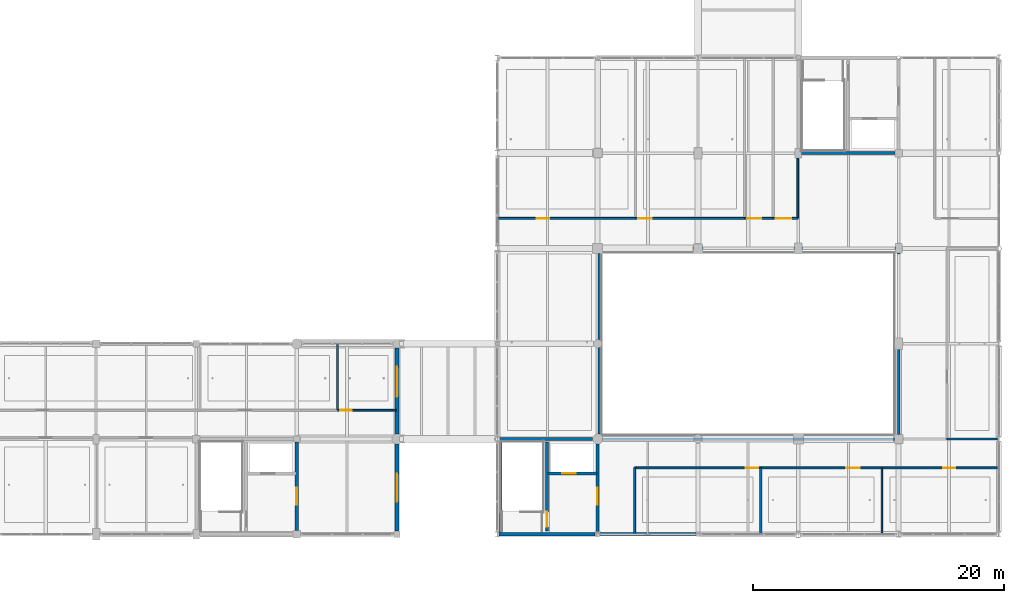
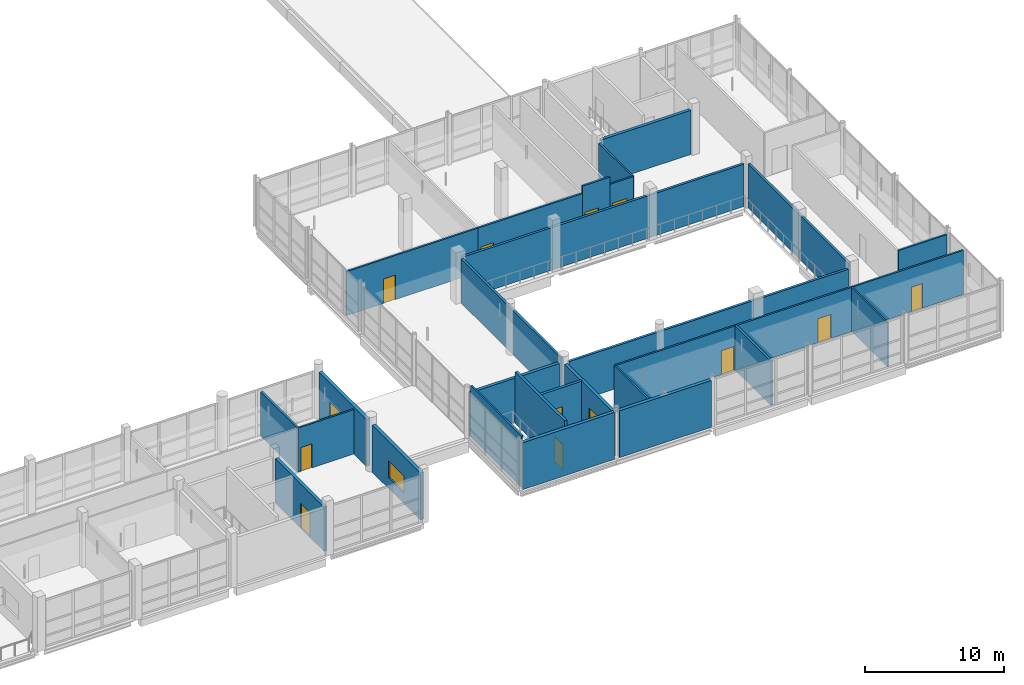
# One storey, part 73 of 107: 29 walls, 12 doors, 2 windows, 14 openings.
"""IFC4 building model written with IfcOpenShell, lengths in metres."""

from ifc_helpers import new_model, si_unit, direction, frame, frame_2d, origin, place, context, subcontext, project, spatial, rectangle, extrude, material, layer, layer_set, type_object, element, fill, save


model = new_model("IFC4")

# Units and contexts
model_context = context("Model", 3, precision=1e-05, world=origin(), true_north=direction((0.0, 1.0)))
body_context = subcontext(model_context, "Body", "Model", "MODEL_VIEW")
ifc_project = project(units=[si_unit("LENGTHUNIT", "METRE"), si_unit("AREAUNIT", "SQUARE_METRE"), si_unit("VOLUMEUNIT", "CUBIC_METRE"), si_unit("PLANEANGLEUNIT", "RADIAN"), si_unit("MASSUNIT", "GRAM", prefix="KILO")], contexts=[model_context])

# Site, building, storey
site_placement = place(None, origin())
site = spatial("IfcSite", under=ifc_project, at=site_placement, CompositionType="ELEMENT")
building_placement = place(site_placement, origin())
building = spatial("IfcBuilding", under=site, at=building_placement, Name="Khelvaren Railside Concert Hall", CompositionType="ELEMENT")
storey_placement = place(building_placement, frame((0.0, 0.0, 15.0)))
storey = spatial("IfcBuildingStorey", under=building, at=storey_placement, Name="L03", CompositionType="ELEMENT", Elevation=15.0)

# Walls
ifc_material_1 = material(Name="Concrete C40/50", Category="concrete")
ifc_layer_1 = layer(ifc_material_1, 0.139892578125)
ifc_layer_set_1 = layer_set([ifc_layer_1], Name="Concrete C40/50")
wall_type_1 = type_object("IfcWallType", Name="CW17", PredefinedType="SOLIDWALL", material=ifc_layer_set_1)
wall_1_placement = place(storey_placement, frame((144.27490234375, 0.14990234375, 0.0), z_axis=(0.0, 0.0, 1.0), x_axis=(0.0, 1.0, 0.0)))
element("IfcWall", 1, at=wall_1_placement, inside=storey, type_object=wall_type_1, Name="Core Shaft Structural Liner Wall ST-03-L03", PredefinedType="SOLIDWALL", context=body_context, shape_type="SweptSolid", body=[
    extrude(rectangle(XDim=7.300048828125, YDim=0.139892578125, at=frame_2d((3.64990234375, 0.0))), origin(), (0.0, 0.0, 1.0), 4.530029296875),
])
ifc_layer_2 = layer(ifc_material_1, 0.25)
ifc_layer_set_2 = layer_set([ifc_layer_2], Name="Concrete C40/50")
wall_type_2 = type_object("IfcWallType", Name="CW82", PredefinedType="SOLIDWALL", material=ifc_layer_set_2)
wall_2_placement = place(storey_placement, frame((144.203125, 7.60009765625, 0.0), z_axis=(0.0, 0.0, 1.0), x_axis=(1.0, 0.0, 0.0)))
element("IfcWall", 2, at=wall_2_placement, inside=storey, type_object=wall_type_2, Name="Core Enclosure Wall CWALL-ST-03-L03-N", PredefinedType="SOLIDWALL", context=body_context, shape_type="SweptSolid", body=[
    extrude(rectangle(XDim=7.39697265625, YDim=0.25, at=frame_2d((3.698486328125, 0.0))), origin(), (0.0, 0.0, 1.0), 3.8798828125),
])

# Wall, opening, door
wall_3_placement = place(storey_placement, frame((152.0, 0.203125, 0.0), z_axis=(0.0, 0.0, 1.0), x_axis=(0.0, 1.0, 0.0)))
wall_3 = element("IfcWall", 3, at=wall_3_placement, inside=storey, type_object=wall_type_2, Name="Core Enclosure Wall CWALL-ST-03-L03-E", PredefinedType="SOLIDWALL", context=body_context, shape_type="SweptSolid", body=[
    extrude(rectangle(XDim=6.996826171875, YDim=0.25, at=frame_2d((3.49853515625, 0.0))), origin(), (0.0, 0.0, 1.0), 3.8798828125),
])
opening_1_placement = place(wall_3_placement, frame((2.146728515625, 0.0, 0.0)))
opening_1 = element("IfcOpeningElement", 4, at=opening_1_placement, cuts=wall_3, Name="Opening FDR34", PredefinedType="OPENING", context=body_context, shape_type="SweptSolid", body=[
    extrude(rectangle(XDim=1.35009765625, YDim=2.199951171875, at=frame_2d((0.675048828125, 1.10009765625))), frame((0.0, 0.135009765625, 0.0), z_axis=(0.0, -1.0, 0.0), x_axis=(1.0, 0.0, 0.0)), (0.0, 0.0, 1.0), 0.27001953125),
])
ifc_material_2 = material(Name="Acoustic fire-rated timber-core steel frame door", Category="steel")
door_type_1 = type_object("IfcDoorType", Name="FDR34", OperationType="NOTDEFINED", PredefinedType="DOOR", material=ifc_material_2)
door_1_placement = place(opening_1_placement, origin())
door_1 = element("IfcDoor", 5, at=door_1_placement, inside=storey, type_object=door_type_1, Name="Interior Door DR-ST-03-L03-LOB", OperationType="SINGLE_SWING_LEFT", OverallHeight=2.199951171875, OverallWidth=1.35009765625, PredefinedType="DOOR", context=body_context, shape_type="SweptSolid", body=[
    extrude(rectangle(XDim=1.35009765625, YDim=2.199951171875, at=frame_2d((0.675048828125, 1.10009765625))), frame((0.0, 0.02490234375, 0.0), z_axis=(0.0, -1.0, 0.0), x_axis=(1.0, 0.0, 0.0)), (0.0, 0.0, 1.0), 0.050048828125),
])
fill(opening_1, door_1)

# Wall
wall_4_placement = place(storey_placement, frame((168.25, 30.39990234375, 0.0), z_axis=(0.0, 0.0, 1.0), x_axis=(1.0, 0.0, 0.0)))
element("IfcWall", 6, at=wall_4_placement, inside=storey, type_object=wall_type_2, Name="Core Enclosure Wall CWALL-ST-04-L03-S", PredefinedType="SOLIDWALL", context=body_context, shape_type="SweptSolid", body=[
    extrude(rectangle(XDim=7.449951171875, YDim=0.25, at=frame_2d((3.72509765625, 0.0))), origin(), (0.0, 0.0, 1.0), 3.8798828125),
])

# Wall, opening, door
wall_5_placement = place(storey_placement, frame((128.0, 0.300048828125, 0.0), z_axis=(0.0, 0.0, 1.0), x_axis=(0.0, 1.0, 0.0)))
wall_5 = element("IfcWall", 7, at=wall_5_placement, inside=storey, type_object=wall_type_2, Name="Core Enclosure Wall CWALL-ST-06-L03-E", PredefinedType="SOLIDWALL", context=body_context, shape_type="SweptSolid", body=[
    extrude(rectangle(XDim=7.050048828125, YDim=0.25, at=frame_2d((3.52490234375, 0.0))), origin(), (0.0, 0.0, 1.0), 3.89990234375),
])
opening_2_placement = place(wall_5_placement, frame((2.050048828125, 0.0, 0.0)))
opening_2 = element("IfcOpeningElement", 8, at=opening_2_placement, cuts=wall_5, Name="Opening FDR34", PredefinedType="OPENING", context=body_context, shape_type="SweptSolid", body=[
    extrude(rectangle(XDim=1.35009765625, YDim=2.199951171875, at=frame_2d((0.675048828125, 1.10009765625))), frame((0.0, 0.135009765625, 0.0), z_axis=(0.0, -1.0, 0.0), x_axis=(1.0, 0.0, 0.0)), (0.0, 0.0, 1.0), 0.27001953125),
])
door_2_placement = place(opening_2_placement, origin())
door_2 = element("IfcDoor", 9, at=door_2_placement, inside=storey, type_object=door_type_1, Name="Interior Door DR-ST-06-L03-LOB", OperationType="SINGLE_SWING_LEFT", OverallHeight=2.199951171875, OverallWidth=1.35009765625, PredefinedType="DOOR", context=body_context, shape_type="SweptSolid", body=[
    extrude(rectangle(XDim=1.35009765625, YDim=2.199951171875, at=frame_2d((0.675048828125, 1.10009765625))), frame((0.0, 0.02490234375, 0.0), z_axis=(0.0, -1.0, 0.0), x_axis=(1.0, 0.0, 0.0)), (0.0, 0.0, 1.0), 0.050048828125),
])
fill(opening_2, door_2)

ifc_layer_3 = layer(ifc_material_1, 0.219970703125)
ifc_layer_set_3 = layer_set([ifc_layer_3], Name="Concrete C40/50")
wall_type_3 = type_object("IfcWallType", Name="CW97", PredefinedType="SOLIDWALL", material=ifc_layer_set_3)
wall_6_placement = place(storey_placement, frame((147.949951171875, 0.25, 0.0), z_axis=(0.0, 0.0, 1.0), x_axis=(0.0, 1.0, 0.0)))
wall_6 = element("IfcWall", 10, at=wall_6_placement, inside=storey, type_object=wall_type_3, Name="Core Enclosure Wall CWALL-ST-03-L03-MID", PredefinedType="SOLIDWALL", context=body_context, shape_type="SweptSolid", body=[
    extrude(rectangle(XDim=7.10009765625, YDim=0.219970703125, at=frame_2d((3.550048828125, 0.0))), origin(), (0.0, 0.0, 1.0), 4.530029296875),
])
opening_3_placement = place(wall_6_placement, frame((0.35009765625, 0.0, 0.0)))
opening_3 = element("IfcOpeningElement", 11, at=opening_3_placement, cuts=wall_6, Name="Opening FDR17", PredefinedType="OPENING", context=body_context, shape_type="SweptSolid", body=[
    extrude(rectangle(XDim=1.199951171875, YDim=2.14990234375, at=frame_2d((0.60009765625, 1.074951171875))), frame((0.0, 0.119873046875, 0.0), z_axis=(0.0, -1.0, 0.0), x_axis=(1.0, 0.0, 0.0)), (0.0, 0.0, 1.0), 0.239990234375),
])
door_type_2 = type_object("IfcDoorType", Name="FDR17", OperationType="NOTDEFINED", PredefinedType="DOOR", material=ifc_material_2)
door_3_placement = place(opening_3_placement, origin())
door_3 = element("IfcDoor", 12, at=door_3_placement, inside=storey, type_object=door_type_2, Name="Interior Door DR-ST-03-L03-ST", OperationType="SINGLE_SWING_RIGHT", OverallHeight=2.14990234375, OverallWidth=1.199951171875, PredefinedType="DOOR", context=body_context, shape_type="SweptSolid", body=[
    extrude(rectangle(XDim=1.199951171875, YDim=2.14990234375, at=frame_2d((0.60009765625, 1.074951171875))), frame((0.0, 0.02490234375, 0.0), z_axis=(0.0, -1.0, 0.0), x_axis=(1.0, 0.0, 0.0)), (0.0, 0.0, 1.0), 0.050048828125),
])
fill(opening_3, door_3)

wall_7_placement = place(storey_placement, frame((148.02001953125, 4.85009765625, 0.0), z_axis=(0.0, 0.0, 1.0), x_axis=(1.0, 0.0, 0.0)))
wall_7 = element("IfcWall", 13, at=wall_7_placement, inside=storey, type_object=wall_type_3, Name="Core Enclosure Wall CWALL-ST-03-L03-SHF", PredefinedType="SOLIDWALL", context=body_context, shape_type="SweptSolid", body=[
    extrude(rectangle(XDim=3.929931640625, YDim=0.219970703125, at=frame_2d((1.96484375, 0.0))), origin(), (0.0, 0.0, 1.0), 3.8798828125),
])
opening_4_placement = place(wall_7_placement, frame((1.14990234375, 0.0, 0.0)))
opening_4 = element("IfcOpeningElement", 14, at=opening_4_placement, cuts=wall_7, Name="Opening LD-PL-02", PredefinedType="OPENING", context=body_context, shape_type="SweptSolid", body=[
    extrude(rectangle(XDim=1.10009765625, YDim=2.199951171875, at=frame_2d((0.550048828125, 1.10009765625))), frame((0.0, 0.119873046875, 0.0), z_axis=(0.0, -1.0, 0.0), x_axis=(1.0, 0.0, 0.0)), (0.0, 0.0, 1.0), 0.239990234375),
])
ifc_material_3 = material(Name="Fire-rated brushed stainless steel landing door", Category="steel")
door_type_3 = type_object("IfcDoorType", Name="LD96", OperationType="DOUBLE_DOOR_SLIDING", PredefinedType="DOOR", material=ifc_material_3)
door_4_placement = place(opening_4_placement, origin())
door_4 = element("IfcDoor", 15, at=door_4_placement, inside=storey, type_object=door_type_3, Name="Lift Landing Door LD-PL-02-L03", OperationType="DOUBLE_DOOR_SLIDING", OverallHeight=2.199951171875, OverallWidth=1.10009765625, PredefinedType="DOOR", context=body_context, shape_type="SweptSolid", body=[
    extrude(rectangle(XDim=1.10009765625, YDim=2.199951171875, at=frame_2d((0.550048828125, 1.10009765625))), frame((0.0, 0.02490234375, 0.0), z_axis=(0.0, -1.0, 0.0), x_axis=(1.0, 0.0, 0.0)), (0.0, 0.0, 1.0), 0.050048828125),
])
fill(opening_4, door_4)

# Walls
ifc_material_4 = material(Name="Board-marked architectural concrete C40/50", Category="concrete")
ifc_layer_4 = layer(ifc_material_4, 0.280029296875)
ifc_layer_set_4 = layer_set([ifc_layer_4], Name="Board-marked architectural concrete C40/50")
wall_type_4 = type_object("IfcWallType", Name="EW17", PredefinedType="SOLIDWALL", material=ifc_layer_set_4)
wall_8_placement = place(storey_placement, frame((151.796875, 0.0, 0.0), z_axis=(0.0, 0.0, 1.0), x_axis=(-1.0, 0.0, 0.0)))
element("IfcWall", 16, at=wall_8_placement, inside=storey, type_object=wall_type_4, Name="V2 L03 Exterior Concrete Wall S-144", PredefinedType="SOLIDWALL", context=body_context, shape_type="SweptSolid", body=[
    extrude(rectangle(XDim=7.64697265625, YDim=0.280029296875, at=frame_2d((3.823486328125, 0.0))), origin(), (0.0, 0.0, 1.0), 4.1201171875),
])
wall_9_placement = place(storey_placement, frame((159.837890625, 0.0, 0.0), z_axis=(0.0, 0.0, 1.0), x_axis=(-1.0, 0.0, 0.0)))
element("IfcWall", 17, at=wall_9_placement, inside=storey, type_object=wall_type_4, Name="V2 L03 Exterior Concrete Wall S-152", PredefinedType="SOLIDWALL", context=body_context, shape_type="SweptSolid", body=[
    extrude(rectangle(XDim=7.634765625, YDim=0.280029296875, at=frame_2d((3.8173828125, 0.0))), origin(), (0.0, 0.0, 1.0), 4.1201171875),
])

# Wall, opening, window
ifc_layer_5 = layer(ifc_material_4, 0.2900390625)
ifc_layer_set_5 = layer_set([ifc_layer_5], Name="Board-marked architectural concrete C40/50")
wall_type_5 = type_object("IfcWallType", Name="EW77", PredefinedType="SOLIDWALL", material=ifc_layer_set_5)
wall_10_placement = place(storey_placement, frame((136.0, 7.199951171875, 0.0), z_axis=(0.0, 0.0, 1.0), x_axis=(0.0, -1.0, 0.0)))
wall_10 = element("IfcWall", 18, at=wall_10_placement, inside=storey, type_object=wall_type_5, Name="V3 L03 Exterior Concrete Wall E-0", PredefinedType="SOLIDWALL", context=body_context, shape_type="SweptSolid", body=[
    extrude(rectangle(XDim=6.949951171875, YDim=0.2900390625, at=frame_2d((3.47509765625, 0.0))), origin(), (0.0, 0.0, 1.0), 4.139892578125),
])
opening_5_placement = place(wall_10_placement, frame((2.35009765625, 0.0, 0.949951171875)))
opening_5 = element("IfcOpeningElement", 19, at=opening_5_placement, cuts=wall_10, Name="Opening WN30", PredefinedType="OPENING", context=body_context, shape_type="SweptSolid", body=[
    extrude(rectangle(XDim=2.25, YDim=1.5, at=frame_2d((1.125, 0.75))), frame((0.0, 0.155029296875, 0.0), z_axis=(0.0, -1.0, 0.0), x_axis=(1.0, 0.0, 0.0)), (0.0, 0.0, 1.0), 0.31005859375),
])
ifc_material_5 = material(Name="Triple-glazed acoustic aluminium window", Category="aluminium")
window_type_1 = type_object("IfcWindowType", Name="WN30", PartitioningType="DOUBLE_PANEL_VERTICAL", PredefinedType="WINDOW", material=ifc_material_5)
window_1_placement = place(opening_5_placement, origin())
window_1 = element("IfcWindow", 20, at=window_1_placement, inside=storey, type_object=window_type_1, Name="Acoustic Facade Window EW-V3-L03-E-0", OverallHeight=1.5, OverallWidth=2.25, PartitioningType="DOUBLE_PANEL_VERTICAL", PredefinedType="WINDOW", context=body_context, shape_type="SweptSolid", body=[
    extrude(rectangle(XDim=2.25, YDim=1.5, at=frame_2d((1.125, 0.75))), frame((0.0, 0.030029296875, 0.0), z_axis=(0.0, -1.0, 0.0), x_axis=(1.0, 0.0, 0.0)), (0.0, 0.0, 1.0), 0.06005859375),
])
fill(opening_5, window_1)

wall_11_placement = place(storey_placement, frame((136.0, 14.875, 0.0), z_axis=(0.0, 0.0, 1.0), x_axis=(0.0, -1.0, 0.0)))
wall_11 = element("IfcWall", 21, at=wall_11_placement, inside=storey, type_object=wall_type_5, Name="V3 L03 Exterior Concrete Wall E-8", PredefinedType="SOLIDWALL", context=body_context, shape_type="SweptSolid", body=[
    extrude(rectangle(XDim=6.875, YDim=0.2900390625, at=frame_2d((3.4375, 0.0))), origin(), (0.0, 0.0, 1.0), 4.139892578125),
])
opening_6_placement = place(wall_11_placement, frame((1.512451171875, 0.0, 0.949951171875)))
opening_6 = element("IfcOpeningElement", 22, at=opening_6_placement, cuts=wall_11, Name="Opening WN26", PredefinedType="OPENING", context=body_context, shape_type="SweptSolid", body=[
    extrude(rectangle(XDim=2.39990234375, YDim=1.5, at=frame_2d((1.199951171875, 0.75))), frame((0.0, 0.155029296875, 0.0), z_axis=(0.0, -1.0, 0.0), x_axis=(1.0, 0.0, 0.0)), (0.0, 0.0, 1.0), 0.31005859375),
])
window_type_2 = type_object("IfcWindowType", Name="WN26", PartitioningType="DOUBLE_PANEL_VERTICAL", PredefinedType="WINDOW", material=ifc_material_5)
window_2_placement = place(opening_6_placement, origin())
window_2 = element("IfcWindow", 23, at=window_2_placement, inside=storey, type_object=window_type_2, Name="Acoustic Facade Window EW-V3-L03-E-8", OverallHeight=1.5, OverallWidth=2.39990234375, PartitioningType="DOUBLE_PANEL_VERTICAL", PredefinedType="WINDOW", context=body_context, shape_type="SweptSolid", body=[
    extrude(rectangle(XDim=2.39990234375, YDim=1.5, at=frame_2d((1.199951171875, 0.75))), frame((0.0, 0.030029296875, 0.0), z_axis=(0.0, -1.0, 0.0), x_axis=(1.0, 0.0, 0.0)), (0.0, 0.0, 1.0), 0.06005859375),
])
fill(opening_6, window_2)

# Walls
ifc_material_6 = material(Name="Acoustic double-stud gypsum partition", Category="gypsum")
ifc_layer_6 = layer(ifc_material_6, 0.199951171875)
ifc_layer_set_6 = layer_set([ifc_layer_6], Name="Acoustic double-stud gypsum partition")
wall_type_6 = type_object("IfcWallType", Name="PT35", PredefinedType="PARTITIONING", material=ifc_layer_set_6)
wall_12_placement = place(storey_placement, frame((152.1201171875, 8.0, 0.0), z_axis=(0.0, 0.0, 1.0), x_axis=(0.0, 1.0, 0.0)))
element("IfcWall", 24, at=wall_12_placement, inside=storey, type_object=wall_type_6, Name="Acoustic Partition Wall PW-V2-L03-VOID-W", PredefinedType="PARTITIONING", context=body_context, shape_type="SweptSolid", body=[
    extrude(rectangle(XDim=14.39990234375, YDim=0.199951171875, at=frame_2d((7.199951171875, 0.0))), origin(), (0.0, 0.0, 1.0), 3.8798828125),
])
wall_13_placement = place(storey_placement, frame((176.0, 7.949951171875, 0.0), z_axis=(0.0, 0.0, 1.0), x_axis=(0.0, 1.0, 0.0)))
element("IfcWall", 25, at=wall_13_placement, inside=storey, type_object=wall_type_6, Name="Acoustic Partition Wall PW-V2-L03-VOID-E", PredefinedType="PARTITIONING", context=body_context, shape_type="SweptSolid", body=[
    extrude(rectangle(XDim=14.47509765625, YDim=0.199951171875, at=frame_2d((7.237548828125, 0.0))), origin(), (0.0, 0.0, 1.0), 3.8798828125),
])
wall_14_placement = place(storey_placement, frame((152.39990234375, 22.800048828125, 0.0), z_axis=(0.0, 0.0, 1.0), x_axis=(1.0, 0.0, 0.0)))
element("IfcWall", 26, at=wall_14_placement, inside=storey, type_object=wall_type_6, Name="Acoustic Partition Wall PW-V2-L03-VOID-N", PredefinedType="PARTITIONING", context=body_context, shape_type="SweptSolid", body=[
    extrude(rectangle(XDim=23.35009765625, YDim=0.199951171875, at=frame_2d((11.675048828125, 0.0))), origin(), (0.0, 0.0, 1.0), 3.72998046875),
])
wall_15_placement = place(storey_placement, frame((152.39990234375, 7.60009765625, 0.0), z_axis=(0.0, 0.0, 1.0), x_axis=(1.0, 0.0, 0.0)))
element("IfcWall", 27, at=wall_15_placement, inside=storey, type_object=wall_type_6, Name="Acoustic Partition Wall PW-V2-L03-VOID-S", PredefinedType="PARTITIONING", context=body_context, shape_type="SweptSolid", body=[
    extrude(rectangle(XDim=23.25, YDim=0.199951171875, at=frame_2d((11.625, 0.0))), origin(), (0.0, 0.0, 1.0), 3.72998046875),
])
ifc_layer_7 = layer(ifc_material_6, 0.179931640625)
ifc_layer_set_7 = layer_set([ifc_layer_7], Name="Acoustic double-stud gypsum partition")
wall_type_7 = type_object("IfcWallType", Name="PT53", PredefinedType="PARTITIONING", material=ifc_layer_set_7)
wall_16_placement = place(storey_placement, frame((131.2548828125, 9.89990234375, 0.0), z_axis=(0.0, 0.0, 1.0), x_axis=(0.0, 1.0, 0.0)))
element("IfcWall", 28, at=wall_16_placement, inside=storey, type_object=wall_type_7, Name="Acoustic Partition Wall PW-V3-L03-N-D02", PredefinedType="PARTITIONING", context=body_context, shape_type="SweptSolid", body=[
    extrude(rectangle(XDim=5.22021484375, YDim=0.179931640625, at=frame_2d((2.610107421875, 0.0))), origin(), (0.0, 0.0, 1.0), 3.89990234375),
])

# Wall, opening, door
ifc_layer_8 = layer(ifc_material_6, 0.139892578125)
ifc_layer_set_8 = layer_set([ifc_layer_8], Name="Acoustic double-stud gypsum partition")
wall_type_8 = type_object("IfcWallType", Name="PT55", PredefinedType="PARTITIONING", material=ifc_layer_set_8)
wall_17_placement = place(storey_placement, frame((131.2548828125, 9.89990234375, 0.0), z_axis=(0.0, 0.0, 1.0), x_axis=(1.0, 0.0, 0.0)))
wall_17 = element("IfcWall", 29, at=wall_17_placement, inside=storey, type_object=wall_type_8, Name="Acoustic Partition Wall PW-V3-L03-N-C03", PredefinedType="PARTITIONING", context=body_context, shape_type="SweptSolid", body=[
    extrude(rectangle(XDim=4.6650390625, YDim=0.139892578125, at=frame_2d((2.33251953125, 0.0))), origin(), (0.0, 0.0, 1.0), 3.89990234375),
])
opening_7_placement = place(wall_17_placement, frame((0.219970703125, 0.0, 0.0)))
opening_7 = element("IfcOpeningElement", 30, at=opening_7_placement, cuts=wall_17, Name="Opening IDR56", PredefinedType="OPENING", context=body_context, shape_type="SweptSolid", body=[
    extrude(rectangle(XDim=0.89990234375, YDim=2.10009765625, at=frame_2d((0.449951171875, 1.050048828125))), frame((0.0, 0.079833984375, 0.0), z_axis=(0.0, -1.0, 0.0), x_axis=(1.0, 0.0, 0.0)), (0.0, 0.0, 1.0), 0.159912109375),
])
ifc_material_7 = material(Name="Solid oak acoustic studio door", Category="wood")
door_type_4 = type_object("IfcDoorType", Name="IDR56", OperationType="NOTDEFINED", PredefinedType="DOOR", material=ifc_material_7)
door_5_placement = place(opening_7_placement, origin())
door_5 = element("IfcDoor", 31, at=door_5_placement, inside=storey, type_object=door_type_4, Name="Interior Door DR-V3-L03-N-03", OperationType="SINGLE_SWING_LEFT", OverallHeight=2.10009765625, OverallWidth=0.89990234375, PredefinedType="DOOR", context=body_context, shape_type="SweptSolid", body=[
    extrude(rectangle(XDim=0.89990234375, YDim=2.10009765625, at=frame_2d((0.449951171875, 1.050048828125))), frame((0.0, 0.02490234375, 0.0), z_axis=(0.0, -1.0, 0.0), x_axis=(1.0, 0.0, 0.0)), (0.0, 0.0, 1.0), 0.050048828125),
])
fill(opening_7, door_5)

# Wall
ifc_layer_9 = layer(ifc_material_6, 0.14990234375)
ifc_layer_set_9 = layer_set([ifc_layer_9], Name="Acoustic double-stud gypsum partition")
wall_type_9 = type_object("IfcWallType", Name="PT72", PredefinedType="PARTITIONING", material=ifc_layer_set_9)
wall_18_placement = place(storey_placement, frame((179.85009765625, 7.60009765625, 0.0), z_axis=(0.0, 0.0, 1.0), x_axis=(1.0, 0.0, 0.0)))
element("IfcWall", 32, at=wall_18_placement, inside=storey, type_object=wall_type_9, Name="Acoustic Partition Wall PW-V2-L03-ALCE-S", PredefinedType="PARTITIONING", context=body_context, shape_type="SweptSolid", body=[
    extrude(rectangle(XDim=4.0, YDim=0.14990234375, at=frame_2d((2.0, 0.0))), origin(), (0.0, 0.0, 1.0), 3.8798828125),
])

# Wall, opening, door
wall_19_placement = place(storey_placement, frame((154.949951171875, 5.300048828125, 0.0), z_axis=(0.0, 0.0, 1.0), x_axis=(1.0, 0.0, 0.0)))
wall_19 = element("IfcWall", 33, at=wall_19_placement, inside=storey, type_object=wall_type_9, Name="Acoustic Partition Wall PW-V2-L03-S-C01", PredefinedType="PARTITIONING", context=body_context, shape_type="SweptSolid", body=[
    extrude(rectangle(XDim=10.05908203125, YDim=0.14990234375, at=frame_2d((5.029541015625, 0.0))), origin(), (0.0, 0.0, 1.0), 3.8798828125),
])
opening_8_placement = place(wall_19_placement, frame((8.839111328125, 0.0, 0.0)))
opening_8 = element("IfcOpeningElement", 34, at=opening_8_placement, cuts=wall_19, Name="Opening IDR87", PredefinedType="OPENING", context=body_context, shape_type="SweptSolid", body=[
    extrude(rectangle(XDim=1.02001953125, YDim=2.10009765625, at=frame_2d((0.510009765625, 1.050048828125))), frame((0.0, 0.0849609375, 0.0), z_axis=(0.0, -1.0, 0.0), x_axis=(1.0, 0.0, 0.0)), (0.0, 0.0, 1.0), 0.169921875),
])
door_type_5 = type_object("IfcDoorType", Name="IDR87", OperationType="NOTDEFINED", PredefinedType="DOOR", material=ifc_material_7)
door_6_placement = place(opening_8_placement, origin())
door_6 = element("IfcDoor", 35, at=door_6_placement, inside=storey, type_object=door_type_5, Name="Interior Door DR-V2-L03-S-01", OperationType="SINGLE_SWING_LEFT", OverallHeight=2.10009765625, OverallWidth=1.02001953125, PredefinedType="DOOR", context=body_context, shape_type="SweptSolid", body=[
    extrude(rectangle(XDim=1.02001953125, YDim=2.10009765625, at=frame_2d((0.510009765625, 1.050048828125))), frame((0.0, 0.02490234375, 0.0), z_axis=(0.0, -1.0, 0.0), x_axis=(1.0, 0.0, 0.0)), (0.0, 0.0, 1.0), 0.050048828125),
])
fill(opening_8, door_6)

wall_20_placement = place(storey_placement, frame((165.009033203125, 5.300048828125, 0.0), z_axis=(0.0, 0.0, 1.0), x_axis=(1.0, 0.0, 0.0)))
wall_20 = element("IfcWall", 36, at=wall_20_placement, inside=storey, type_object=wall_type_9, Name="Acoustic Partition Wall PW-V2-L03-S-C02", PredefinedType="PARTITIONING", context=body_context, shape_type="SweptSolid", body=[
    extrude(rectangle(XDim=9.656982421875, YDim=0.14990234375, at=frame_2d((4.82861328125, 0.0))), origin(), (0.0, 0.0, 1.0), 3.8798828125),
])
opening_9_placement = place(wall_20_placement, frame((6.793701171875, 0.0, 0.0)))
opening_9 = element("IfcOpeningElement", 37, at=opening_9_placement, cuts=wall_20, Name="Opening IDR70", PredefinedType="OPENING", context=body_context, shape_type="SweptSolid", body=[
    extrude(rectangle(XDim=1.080078125, YDim=2.10009765625, at=frame_2d((0.5400390625, 1.050048828125))), frame((0.0, 0.0849609375, 0.0), z_axis=(0.0, -1.0, 0.0), x_axis=(1.0, 0.0, 0.0)), (0.0, 0.0, 1.0), 0.169921875),
])
door_type_6 = type_object("IfcDoorType", Name="IDR70", OperationType="NOTDEFINED", PredefinedType="DOOR", material=ifc_material_7)
door_7_placement = place(opening_9_placement, origin())
door_7 = element("IfcDoor", 38, at=door_7_placement, inside=storey, type_object=door_type_6, Name="Interior Door DR-V2-L03-S-02", OperationType="SINGLE_SWING_RIGHT", OverallHeight=2.10009765625, OverallWidth=1.080078125, PredefinedType="DOOR", context=body_context, shape_type="SweptSolid", body=[
    extrude(rectangle(XDim=1.080078125, YDim=2.10009765625, at=frame_2d((0.5400390625, 1.050048828125))), frame((0.0, 0.02490234375, 0.0), z_axis=(0.0, -1.0, 0.0), x_axis=(1.0, 0.0, 0.0)), (0.0, 0.0, 1.0), 0.050048828125),
])
fill(opening_9, door_7)

wall_21_placement = place(storey_placement, frame((174.666015625, 5.300048828125, 0.0), z_axis=(0.0, 0.0, 1.0), x_axis=(1.0, 0.0, 0.0)))
wall_21 = element("IfcWall", 39, at=wall_21_placement, inside=storey, type_object=wall_type_9, Name="Acoustic Partition Wall PW-V2-L03-S-C03", PredefinedType="PARTITIONING", context=body_context, shape_type="SweptSolid", body=[
    extrude(rectangle(XDim=9.25390625, YDim=0.14990234375, at=frame_2d((4.626953125, 0.0))), origin(), (0.0, 0.0, 1.0), 3.8798828125),
])
opening_10_placement = place(wall_21_placement, frame((4.908447265625, 0.0, 0.0)))
opening_10 = element("IfcOpeningElement", 40, at=opening_10_placement, cuts=wall_21, Name="Opening IDR15", PredefinedType="OPENING", context=body_context, shape_type="SweptSolid", body=[
    extrude(rectangle(XDim=0.919921875, YDim=2.14990234375, at=frame_2d((0.4599609375, 1.074951171875))), frame((0.0, 0.0849609375, 0.0), z_axis=(0.0, -1.0, 0.0), x_axis=(1.0, 0.0, 0.0)), (0.0, 0.0, 1.0), 0.169921875),
])
door_type_7 = type_object("IfcDoorType", Name="IDR15", OperationType="NOTDEFINED", PredefinedType="DOOR", material=ifc_material_7)
door_8_placement = place(opening_10_placement, origin())
door_8 = element("IfcDoor", 41, at=door_8_placement, inside=storey, type_object=door_type_7, Name="Interior Door DR-V2-L03-S-03", OperationType="SINGLE_SWING_LEFT", OverallHeight=2.14990234375, OverallWidth=0.919921875, PredefinedType="DOOR", context=body_context, shape_type="SweptSolid", body=[
    extrude(rectangle(XDim=0.919921875, YDim=2.14990234375, at=frame_2d((0.4599609375, 1.074951171875))), frame((0.0, 0.02490234375, 0.0), z_axis=(0.0, -1.0, 0.0), x_axis=(1.0, 0.0, 0.0)), (0.0, 0.0, 1.0), 0.050048828125),
])
fill(opening_10, door_8)

# Wall
wall_22_placement = place(storey_placement, frame((154.949951171875, 0.080078125, 0.0), z_axis=(0.0, 0.0, 1.0), x_axis=(0.0, 1.0, 0.0)))
element("IfcWall", 42, at=wall_22_placement, inside=storey, type_object=wall_type_9, Name="Acoustic Partition Wall PW-V2-L03-S-W0", PredefinedType="PARTITIONING", context=body_context, shape_type="SweptSolid", body=[
    extrude(rectangle(XDim=5.219970703125, YDim=0.14990234375, at=frame_2d((2.60986328125, 0.0))), origin(), (0.0, 0.0, 1.0), 3.8798828125),
])

# Wall, opening, door
wall_23_placement = place(storey_placement, frame((144.080078125, 25.199951171875, 0.0), z_axis=(0.0, 0.0, 1.0), x_axis=(1.0, 0.0, 0.0)))
wall_23 = element("IfcWall", 43, at=wall_23_placement, inside=storey, type_object=wall_type_9, Name="Acoustic Partition Wall PW-V2-L03-N-C01", PredefinedType="PARTITIONING", context=body_context, shape_type="SweptSolid", body=[
    extrude(rectangle(XDim=10.952880859375, YDim=0.14990234375, at=frame_2d((5.4765625, 0.0))), origin(), (0.0, 0.0, 1.0), 3.8798828125),
])
opening_11_placement = place(wall_23_placement, frame((3.073974609375, 0.0, 0.0)))
opening_11 = element("IfcOpeningElement", 44, at=opening_11_placement, cuts=wall_23, Name="Opening IDR67", PredefinedType="OPENING", context=body_context, shape_type="SweptSolid", body=[
    extrude(rectangle(XDim=0.97998046875, YDim=2.14990234375, at=frame_2d((0.489990234375, 1.074951171875))), frame((0.0, 0.0849609375, 0.0), z_axis=(0.0, -1.0, 0.0), x_axis=(1.0, 0.0, 0.0)), (0.0, 0.0, 1.0), 0.169921875),
])
door_type_8 = type_object("IfcDoorType", Name="IDR67", OperationType="NOTDEFINED", PredefinedType="DOOR", material=ifc_material_7)
door_9_placement = place(opening_11_placement, origin())
door_9 = element("IfcDoor", 45, at=door_9_placement, inside=storey, type_object=door_type_8, Name="Interior Door DR-V2-L03-N-01", OperationType="SINGLE_SWING_RIGHT", OverallHeight=2.14990234375, OverallWidth=0.97998046875, PredefinedType="DOOR", context=body_context, shape_type="SweptSolid", body=[
    extrude(rectangle(XDim=0.97998046875, YDim=2.14990234375, at=frame_2d((0.489990234375, 1.074951171875))), frame((0.0, 0.02490234375, 0.0), z_axis=(0.0, -1.0, 0.0), x_axis=(1.0, 0.0, 0.0)), (0.0, 0.0, 1.0), 0.050048828125),
])
fill(opening_11, door_9)

wall_24_placement = place(storey_placement, frame((155.032958984375, 25.199951171875, 0.0), z_axis=(0.0, 0.0, 1.0), x_axis=(1.0, 0.0, 0.0)))
wall_24 = element("IfcWall", 46, at=wall_24_placement, inside=storey, type_object=wall_type_9, Name="Acoustic Partition Wall PW-V2-L03-N-C02", PredefinedType="PARTITIONING", context=body_context, shape_type="SweptSolid", body=[
    extrude(rectangle(XDim=8.679931640625, YDim=0.14990234375, at=frame_2d((4.33984375, 0.0))), origin(), (0.0, 0.0, 1.0), 3.8798828125),
])
opening_12_placement = place(wall_24_placement, frame((0.219970703125, 0.0, 0.0)))
opening_12 = element("IfcOpeningElement", 47, at=opening_12_placement, cuts=wall_24, Name="Opening IDR24", PredefinedType="OPENING", context=body_context, shape_type="SweptSolid", body=[
    extrude(rectangle(XDim=1.0400390625, YDim=2.14990234375, at=frame_2d((0.52001953125, 1.074951171875))), frame((0.0, 0.0849609375, 0.0), z_axis=(0.0, -1.0, 0.0), x_axis=(1.0, 0.0, 0.0)), (0.0, 0.0, 1.0), 0.169921875),
])
door_type_9 = type_object("IfcDoorType", Name="IDR24", OperationType="NOTDEFINED", PredefinedType="DOOR", material=ifc_material_7)
door_10_placement = place(opening_12_placement, origin())
door_10 = element("IfcDoor", 48, at=door_10_placement, inside=storey, type_object=door_type_9, Name="Interior Door DR-V2-L03-N-02", OperationType="SINGLE_SWING_LEFT", OverallHeight=2.14990234375, OverallWidth=1.0400390625, PredefinedType="DOOR", context=body_context, shape_type="SweptSolid", body=[
    extrude(rectangle(XDim=1.0400390625, YDim=2.14990234375, at=frame_2d((0.52001953125, 1.074951171875))), frame((0.0, 0.02490234375, 0.0), z_axis=(0.0, -1.0, 0.0), x_axis=(1.0, 0.0, 0.0)), (0.0, 0.0, 1.0), 0.050048828125),
])
fill(opening_12, door_10)

wall_25_placement = place(storey_placement, frame((163.712890625, 25.199951171875, 0.0), z_axis=(0.0, 0.0, 1.0), x_axis=(1.0, 0.0, 0.0)))
wall_25 = element("IfcWall", 49, at=wall_25_placement, inside=storey, type_object=wall_type_9, Name="Acoustic Partition Wall PW-V2-L03-N-C03", PredefinedType="PARTITIONING", context=body_context, shape_type="SweptSolid", body=[
    extrude(rectangle(XDim=2.273193359375, YDim=0.14990234375, at=frame_2d((1.13671875, 0.0))), origin(), (0.0, 0.0, 1.0), 4.530029296875),
])
opening_13_placement = place(wall_25_placement, frame((0.219970703125, 0.0, 0.0)))
opening_13 = element("IfcOpeningElement", 50, at=opening_13_placement, cuts=wall_25, Name="Opening IDR45", PredefinedType="OPENING", context=body_context, shape_type="SweptSolid", body=[
    extrude(rectangle(XDim=1.10009765625, YDim=2.14990234375, at=frame_2d((0.550048828125, 1.074951171875))), frame((0.0, 0.0849609375, 0.0), z_axis=(0.0, -1.0, 0.0), x_axis=(1.0, 0.0, 0.0)), (0.0, 0.0, 1.0), 0.169921875),
])
door_type_10 = type_object("IfcDoorType", Name="IDR45", OperationType="NOTDEFINED", PredefinedType="DOOR", material=ifc_material_7)
door_11_placement = place(opening_13_placement, origin())
door_11 = element("IfcDoor", 51, at=door_11_placement, inside=storey, type_object=door_type_10, Name="Interior Door DR-V2-L03-N-03", OperationType="SINGLE_SWING_RIGHT", OverallHeight=2.14990234375, OverallWidth=1.10009765625, PredefinedType="DOOR", context=body_context, shape_type="SweptSolid", body=[
    extrude(rectangle(XDim=1.10009765625, YDim=2.14990234375, at=frame_2d((0.550048828125, 1.074951171875))), frame((0.0, 0.02490234375, 0.0), z_axis=(0.0, -1.0, 0.0), x_axis=(1.0, 0.0, 0.0)), (0.0, 0.0, 1.0), 0.050048828125),
])
fill(opening_13, door_11)

wall_26_placement = place(storey_placement, frame((165.986083984375, 25.199951171875, 0.0), z_axis=(0.0, 0.0, 1.0), x_axis=(1.0, 0.0, 0.0)))
wall_26 = element("IfcWall", 52, at=wall_26_placement, inside=storey, type_object=wall_type_9, Name="Acoustic Partition Wall PW-V2-L03-N-C04", PredefinedType="PARTITIONING", context=body_context, shape_type="SweptSolid", body=[
    extrude(rectangle(XDim=1.9638671875, YDim=0.14990234375, at=frame_2d((0.98193359375, 0.0))), origin(), (0.0, 0.0, 1.0), 3.8798828125),
])
opening_14_placement = place(wall_26_placement, frame((0.219970703125, 0.0, 0.0)))
opening_14 = element("IfcOpeningElement", 53, at=opening_14_placement, cuts=wall_26, Name="Opening IDR44", PredefinedType="OPENING", context=body_context, shape_type="SweptSolid", body=[
    extrude(rectangle(XDim=1.219970703125, YDim=2.14990234375, at=frame_2d((0.60986328125, 1.074951171875))), frame((0.0, 0.0849609375, 0.0), z_axis=(0.0, -1.0, 0.0), x_axis=(1.0, 0.0, 0.0)), (0.0, 0.0, 1.0), 0.169921875),
])
door_type_11 = type_object("IfcDoorType", Name="IDR44", OperationType="NOTDEFINED", PredefinedType="DOOR", material=ifc_material_7)
door_12_placement = place(opening_14_placement, origin())
door_12 = element("IfcDoor", 54, at=door_12_placement, inside=storey, type_object=door_type_11, Name="Interior Door DR-V2-L03-N-04", OperationType="SINGLE_SWING_LEFT", OverallHeight=2.14990234375, OverallWidth=1.219970703125, PredefinedType="DOOR", context=body_context, shape_type="SweptSolid", body=[
    extrude(rectangle(XDim=1.219970703125, YDim=2.14990234375, at=frame_2d((0.60986328125, 1.074951171875))), frame((0.0, 0.02490234375, 0.0), z_axis=(0.0, -1.0, 0.0), x_axis=(1.0, 0.0, 0.0)), (0.0, 0.0, 1.0), 0.050048828125),
])
fill(opening_14, door_12)

# Walls
wall_27_placement = place(storey_placement, frame((167.949951171875, 25.199951171875, 0.0), z_axis=(0.0, 0.0, 1.0), x_axis=(0.0, 1.0, 0.0)))
element("IfcWall", 55, at=wall_27_placement, inside=storey, type_object=wall_type_9, Name="Acoustic Partition Wall PW-V2-L03-BRGN-E", PredefinedType="PARTITIONING", context=body_context, shape_type="SweptSolid", body=[
    extrude(rectangle(XDim=4.824951171875, YDim=0.14990234375, at=frame_2d((2.41259765625, 0.0))), origin(), (0.0, 0.0, 1.0), 3.8798828125),
])
ifc_layer_10 = layer(ifc_material_6, 0.1201171875)
ifc_layer_set_10 = layer_set([ifc_layer_10], Name="Acoustic double-stud gypsum partition")
wall_type_10 = type_object("IfcWallType", Name="PT74", PredefinedType="PARTITIONING", material=ifc_layer_set_10)
wall_28_placement = place(storey_placement, frame((174.666015625, 0.080078125, 0.0), z_axis=(0.0, 0.0, 1.0), x_axis=(0.0, 1.0, 0.0)))
element("IfcWall", 56, at=wall_28_placement, inside=storey, type_object=wall_type_10, Name="Acoustic Partition Wall PW-V2-L03-S-D02", PredefinedType="PARTITIONING", context=body_context, shape_type="SweptSolid", body=[
    extrude(rectangle(XDim=5.219970703125, YDim=0.1201171875, at=frame_2d((2.60986328125, 0.0))), origin(), (0.0, 0.0, 1.0), 3.8798828125),
])
ifc_layer_11 = layer(ifc_material_6, 0.199951171875)
ifc_layer_set_11 = layer_set([ifc_layer_11], Name="Acoustic double-stud gypsum partition")
wall_type_11 = type_object("IfcWallType", Name="PT75", PredefinedType="PARTITIONING", material=ifc_layer_set_11)
wall_29_placement = place(storey_placement, frame((165.009033203125, 0.080078125, 0.0), z_axis=(0.0, 0.0, 1.0), x_axis=(0.0, 1.0, 0.0)))
element("IfcWall", 57, at=wall_29_placement, inside=storey, type_object=wall_type_11, Name="Acoustic Partition Wall PW-V2-L03-S-D01", PredefinedType="PARTITIONING", context=body_context, shape_type="SweptSolid", body=[
    extrude(rectangle(XDim=5.219970703125, YDim=0.199951171875, at=frame_2d((2.60986328125, 0.0))), origin(), (0.0, 0.0, 1.0), 3.8798828125),
])

save(model, "model.ifc")
